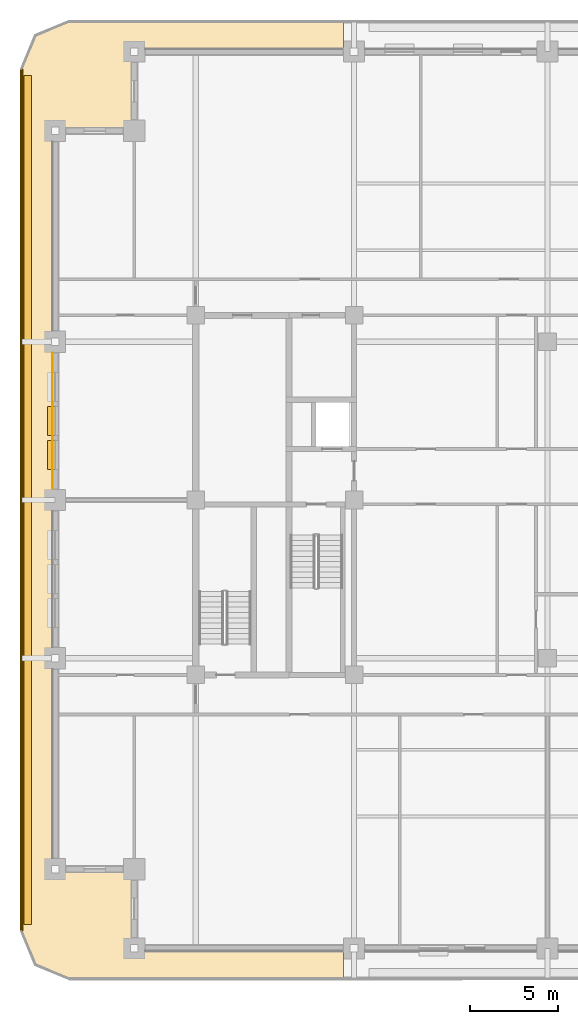
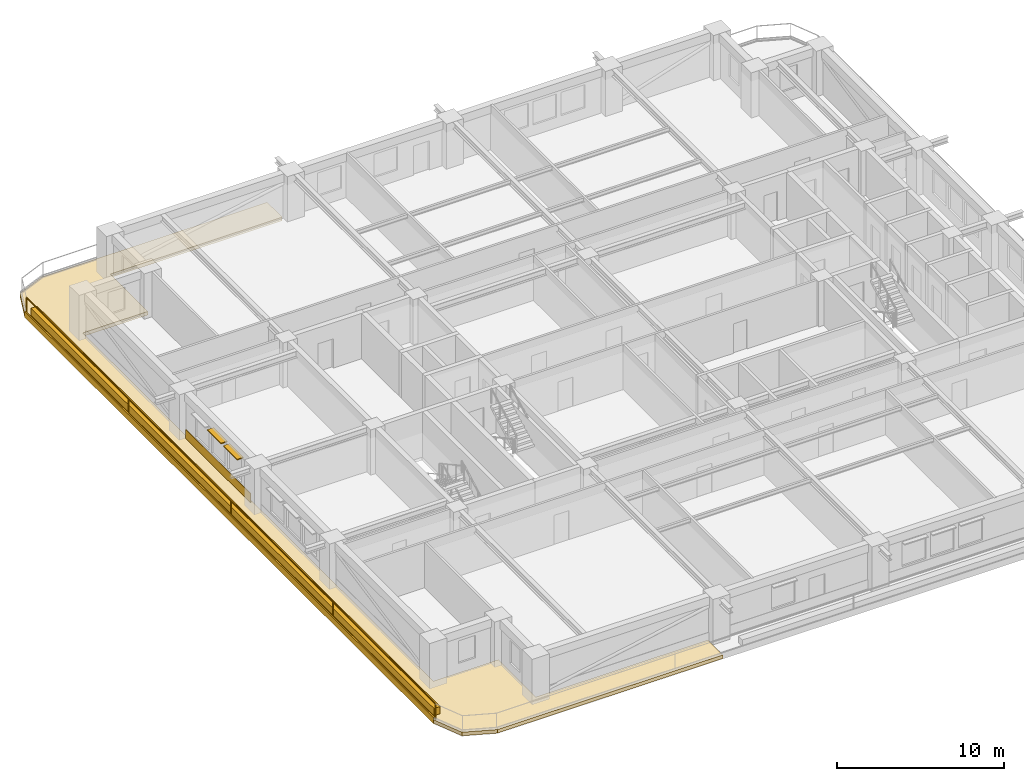
# One storey, part 9 of 14: 4 coverings, 2 shading devices, 1 railing.
"""IFC4 building model written with IfcOpenShell, lengths in metres."""

from ifc_helpers import new_model, si_unit, direction, frame, frame_2d, origin, origin_2d, place, context, subcontext, project, spatial, polyline, rectangle, outline, extrude, material, layer, layer_set, type_object, element, save


model = new_model("IFC4")

# Units and contexts
model_context = context("Model", 3, precision=1e-05, world=origin(), true_north=direction((0.0, 1.0)))
body_context = subcontext(model_context, "Body", "Model", "MODEL_VIEW")
ifc_project = project(units=[si_unit("LENGTHUNIT", "METRE"), si_unit("AREAUNIT", "SQUARE_METRE"), si_unit("VOLUMEUNIT", "CUBIC_METRE"), si_unit("PLANEANGLEUNIT", "RADIAN"), si_unit("MASSUNIT", "GRAM", prefix="KILO")], contexts=[model_context])

# Site, building, storey
site_placement = place(None, origin())
site = spatial("IfcSite", under=ifc_project, at=site_placement, CompositionType="ELEMENT")
building_placement = place(site_placement, origin())
building = spatial("IfcBuilding", under=site, at=building_placement, Name="Zulmaris Gate Convention Tower", CompositionType="ELEMENT")
storey_placement = place(building_placement, frame((0.0, 0.0, 135.6298828125)))
storey = spatial("IfcBuildingStorey", under=building, at=storey_placement, Name="L34", CompositionType="ELEMENT", Elevation=135.6298828125)

# Coverings
ifc_material_1 = material(Name="Precast concrete C40/50", Category="concrete")
ifc_layer_1 = layer(ifc_material_1, 0.0400390625, Name="Precast concrete C40/50")
ifc_layer_set_1 = layer_set([ifc_layer_1], Name="Precast concrete C40/50")
covering_type_1 = type_object("IfcCoveringType", Name="CLAD-SPANDREL-PRECAST", PredefinedType="CLADDING", material=ifc_layer_set_1)
covering_1_placement = place(storey_placement, frame((-28.14990234375, 8.3701171875, 0.0), z_axis=(0.0, 0.0, 1.0), x_axis=(0.0, -1.0, 0.0)))
element("IfcCovering", 1, at=covering_1_placement, inside=storey, type_object=covering_type_1, Name="CLD-L34-W-2_0", PredefinedType="CLADDING", context=body_context, shape_type="SweptSolid", body=[
    extrude(rectangle(XDim=7.740234375, YDim=0.0400390625, at=frame_2d((3.8701171875, 0.0))), origin(), (0.0, 0.0, 1.0), 0.679931640625),
])
ifc_material_2 = material(Name="White Glazed Architectural Precast Concrete C40/50", Category="concrete")
ifc_layer_2 = layer(ifc_material_2, 0.239990234375, Name="White Glazed Architectural Precast Concrete C40/50")
ifc_layer_set_2 = layer_set([ifc_layer_2], Name="White Glazed Architectural Precast Concrete C40/50")
covering_type_2 = type_object("IfcCoveringType", Name="CLAD-TRAY-DECK", PredefinedType="CLADDING", material=ifc_layer_set_2)
covering_2_placement = place(storey_placement, frame((0.0, 0.0, -0.25)))
element("IfcCovering", 2, at=covering_2_placement, inside=storey, type_object=covering_type_2, Name="L34 West Rounded-Fascia Planter Tray Deck", PredefinedType="CLADDING", context=body_context, shape_type="SweptSolid", body=[
    extrude(outline(polyline([(-30.0, 24.5), (-29.179931640625, 26.47998046875), (-27.199951171875, 27.300048828125), (-11.60205078125, 27.300048828125), (-11.60205078125, 25.5), (-23.5, 25.5), (-23.5, 21.0), (-28.0, 21.0), (-28.0, -21.0), (-23.5, -21.0), (-23.5, -25.5), (-11.60205078125, -25.5), (-11.60205078125, -27.300048828125), (-27.199951171875, -27.300048828125), (-29.179931640625, -26.47998046875), (-30.0, -24.5), (-30.0, 24.5)])), origin(), (0.0, 0.0, 1.0), 0.260009765625),
])
ifc_layer_3 = layer(ifc_material_2, 0.080078125, Name="White Glazed Architectural Precast Concrete C40/50")
ifc_layer_set_3 = layer_set([ifc_layer_3], Name="White Glazed Architectural Precast Concrete C40/50")
covering_type_3 = type_object("IfcCoveringType", Name="CLAD-TRAY-FASCIA", PredefinedType="CLADDING", material=ifc_layer_set_3)
covering_3_placement = place(storey_placement, frame((-29.9599609375, 24.5, -0.2900390625), z_axis=(0.0, 0.0, 1.0), x_axis=(0.0, -1.0, 0.0)))
element("IfcCovering", 3, at=covering_3_placement, inside=storey, type_object=covering_type_3, Name="FSC-L34-TR-11", PredefinedType="CLADDING", context=body_context, shape_type="SweptSolid", body=[
    extrude(rectangle(XDim=49.0, YDim=0.080078125, at=frame_2d((24.5, 0.0))), origin(), (0.0, 0.0, 1.0), 0.4599609375),
])
ifc_material_3 = material(Name="Botanical Green Glazed Precast Concrete C40/50", Category="concrete")
ifc_layer_4 = layer(ifc_material_3, 0.419921875, Name="Botanical Green Glazed Precast Concrete C40/50")
ifc_layer_set_4 = layer_set([ifc_layer_4], Name="Botanical Green Glazed Precast Concrete C40/50")
covering_type_4 = type_object("IfcCoveringType", Name="PLANTER-BOX-200", PredefinedType="CLADDING", material=ifc_layer_set_4)
covering_4_placement = place(storey_placement, frame((0.0, 0.0, 0.010009765625)))
element("IfcCovering", 4, at=covering_4_placement, inside=storey, type_object=covering_type_4, Name="L34 W Full-Length Balcony Tree Planter Trough", PredefinedType="CLADDING", context=body_context, shape_type="SweptSolid", body=[
    extrude(outline(polyline([(-29.760009765625, -24.14990234375), (-29.340087890625, -24.14990234375), (-29.340087890625, 24.14990234375), (-29.760009765625, 24.14990234375), (-29.760009765625, -24.14990234375)])), origin(), (0.0, 0.0, 1.0), 0.52001953125),
])

# Railing
ifc_material_4 = material(Name="Laminated Glass and Stainless Steel", Category="steel")
railing_type = type_object("IfcRailingType", Name="RL-BALC-1150", PredefinedType="BALUSTRADE", material=ifc_material_4)
railing_placement = place(storey_placement, frame((-29.8798828125, 24.5, 0.010009765625)))
element("IfcRailing", 5, at=railing_placement, inside=storey, type_object=railing_type, Name="RL-L34-BALC-W", PredefinedType="BALUSTRADE", context=body_context, shape_type="SweptSolid", body=[
    extrude(rectangle(XDim=0.048095703125, YDim=0.048095703125, at=origin_2d()), frame((0.0, 0.0, 1.1259765625), z_axis=(0.0, -1.0, 0.0), x_axis=(1.0, 0.0, 0.0)), (0.0, 0.0, 1.0), 49.0),
    extrude(rectangle(XDim=0.048095703125, YDim=0.048095703125, at=origin_2d()), frame((0.0, 0.0, 0.02392578125), z_axis=(0.0, -1.0, 0.0), x_axis=(1.0, 0.0, 0.0)), (0.0, 0.0, 1.0), 49.0),
    extrude(rectangle(XDim=0.0419921875, YDim=0.0419921875, at=origin_2d()), origin(), (0.0, 0.0, 1.0), 1.101806640625),
    extrude(rectangle(XDim=0.0419921875, YDim=0.0419921875, at=origin_2d()), frame((0.0, -12.25, 0.0)), (0.0, 0.0, 1.0), 1.101806640625),
    extrude(rectangle(XDim=0.0419921875, YDim=0.0419921875, at=origin_2d()), frame((0.0, -24.5, 0.0)), (0.0, 0.0, 1.0), 1.101806640625),
    extrude(rectangle(XDim=0.0419921875, YDim=0.0419921875, at=origin_2d()), frame((0.0, -36.75, 0.0)), (0.0, 0.0, 1.0), 1.101806640625),
    extrude(rectangle(XDim=0.0419921875, YDim=0.0419921875, at=origin_2d()), frame((0.0, -49.0, 0.0)), (0.0, 0.0, 1.0), 1.101806640625),
])

# Shading devices
ifc_material_5 = material(Name="Glazed Ceramic Terracotta", Category="masonry")
ifc_layer_5 = layer(ifc_material_5, 0.070068359375, Name="Glazed Ceramic Terracotta")
ifc_layer_set_5 = layer_set([ifc_layer_5], Name="Glazed Ceramic Terracotta")
shading_device_type = type_object("IfcShadingDeviceType", Name="SHD-SUNSHADE-TC", PredefinedType="AWNING", material=ifc_layer_set_5)
for number, where, z_axis, x_axis, name in (
    (6, (-28.219970703125, 5.324951171875, 2.530029296875), (0.0, 0.0, 1.0), (0.0, -1.0, 0.0), "SHD-EW-L34-W-2_0-2"),
    (7, (-28.219970703125, 3.389892578125, 2.530029296875), (0.0, 0.0, 1.0), (0.0, -1.0, 0.0), "SHD-EW-L34-W-2_0-3"),
):
    element("IfcShadingDevice", number, at=place(storey_placement, frame(where, z_axis=z_axis, x_axis=x_axis)), inside=storey, type_object=shading_device_type, Name=name, PredefinedType="AWNING", context=body_context, shape_type="SweptSolid", body=[
        extrude(rectangle(XDim=1.64990234375, YDim=0.43994140625, at=frame_2d((0.824951171875, 0.0))), origin(), (0.0, 0.0, 1.0), 0.070068359375),
    ])

save(model, "model.ifc")
